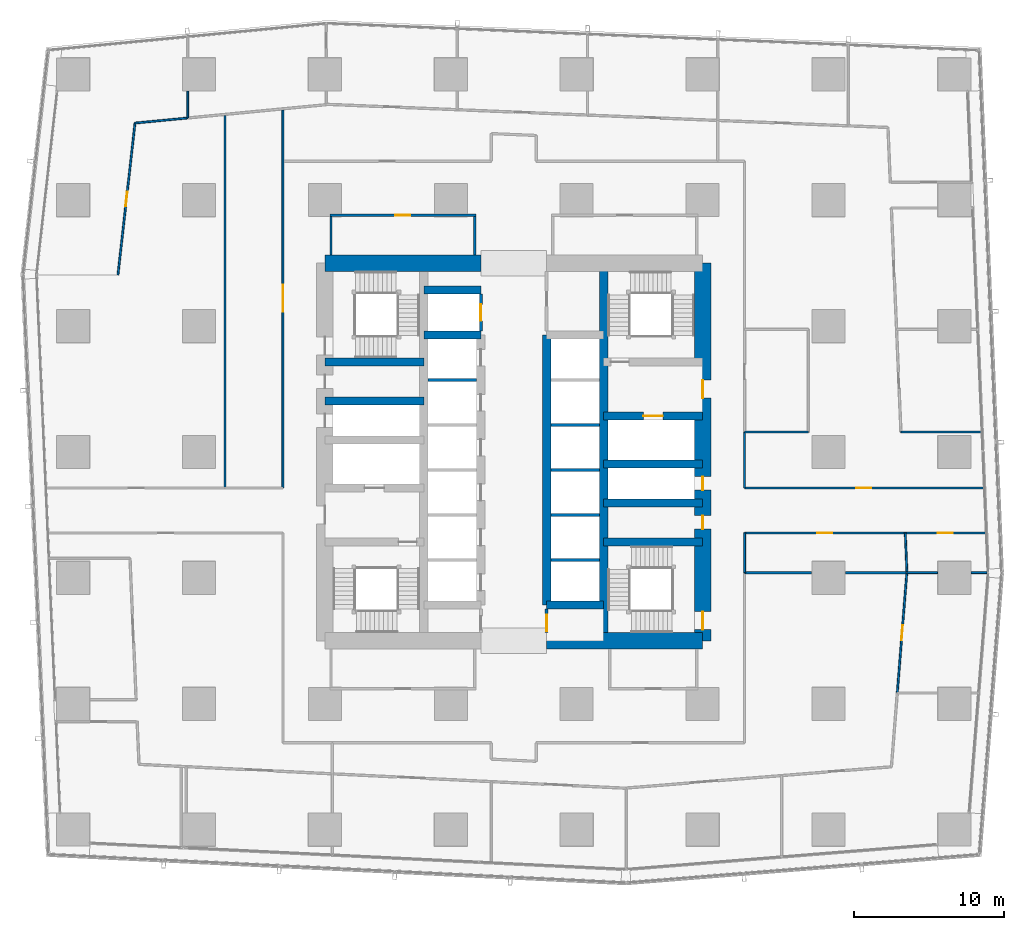
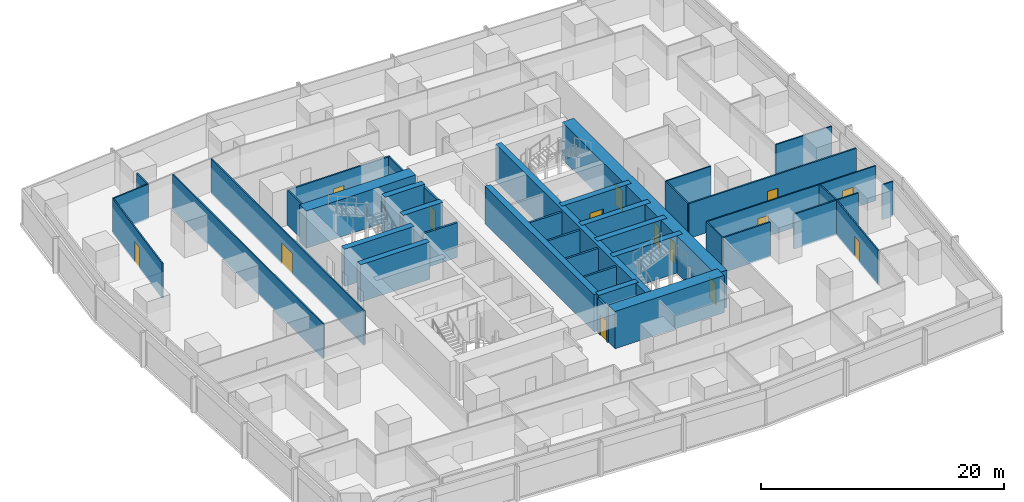
# One storey, part 33 of 44: 42 walls, 14 doors, 14 openings.
"""IFC4 building model written with IfcOpenShell, lengths in metres."""

from ifc_helpers import new_model, si_unit, direction, frame, frame_2d, origin, place, context, subcontext, project, spatial, rectangle, extrude, material, layer, layer_set, type_object, element, fill, save


model = new_model("IFC4")

# Units and contexts
model_context = context("Model", 3, precision=1e-05, world=origin(), true_north=direction((0.0, 1.0)))
body_context = subcontext(model_context, "Body", "Model", "MODEL_VIEW")
ifc_project = project(units=[si_unit("LENGTHUNIT", "METRE"), si_unit("AREAUNIT", "SQUARE_METRE"), si_unit("VOLUMEUNIT", "CUBIC_METRE"), si_unit("PLANEANGLEUNIT", "RADIAN"), si_unit("MASSUNIT", "GRAM", prefix="KILO")], contexts=[model_context])

# Site, building, storey
site_placement = place(None, origin())
site = spatial("IfcSite", under=ifc_project, at=site_placement, CompositionType="ELEMENT")
building_placement = place(site_placement, origin())
building = spatial("IfcBuilding", under=site, at=building_placement, Name="Rekha Terrace Tower", CompositionType="ELEMENT")
storey_placement = place(building_placement, frame((0.0, 0.0, 66.64990234375)))
storey = spatial("IfcBuildingStorey", under=building, at=storey_placement, Name="L16", CompositionType="ELEMENT", Elevation=66.64990234375)

# Walls
ifc_material_1 = material(Name="Concrete M70", Category="concrete")
ifc_layer_1 = layer(ifc_material_1, 0.550048828125)
ifc_layer_set_1 = layer_set([ifc_layer_1], Name="Concrete M70")
wall_type_1 = type_object("IfcWallType", Name="CI1 550 core internal shear wall", PredefinedType="SHEAR", material=ifc_layer_set_1)
wall_1_placement = place(storey_placement, frame((43.800048828125, 21.0, 0.0), z_axis=(0.0, 0.0, 1.0), x_axis=(0.0, 1.0, 0.0)))
element("IfcWall", 1, at=wall_1_placement, inside=storey, type_object=wall_type_1, Name="Core wall X438 L16", PredefinedType="SHEAR", context=body_context, shape_type="SweptSolid", body=[
    extrude(rectangle(XDim=25.199951171875, YDim=0.550048828125, at=frame_2d((12.60009765625, 0.0))), origin(), (0.0, 0.0, 1.0), 3.75),
])
wall_2_placement = place(storey_placement, frame((40.0, 23.39990234375, 0.0), z_axis=(0.0, 0.0, 1.0), x_axis=(0.0, 1.0, 0.0)))
element("IfcWall", 2, at=wall_2_placement, inside=storey, type_object=wall_type_1, Name="Core wall X400 L16", PredefinedType="SHEAR", context=body_context, shape_type="SweptSolid", body=[
    extrude(rectangle(XDim=18.0, YDim=0.550048828125, at=frame_2d((9.0, 0.0))), origin(), (0.0, 0.0, 1.0), 3.75),
])
for number, where, z_axis, x_axis, name in (
    (3, (31.800048828125, 41.39990234375, 0.0), (0.0, 0.0, 1.0), (1.0, 0.0, 0.0), "Core wall Y414W L16"),
    (4, (31.800048828125, 44.39990234375, 0.0), (0.0, 0.0, 1.0), (1.0, 0.0, 0.0), "Core wall Y444W L16"),
    (5, (40.0, 23.39990234375, 0.0), (0.0, 0.0, 1.0), (1.0, 0.0, 0.0), "Core wall Y234E L16"),
):
    element("IfcWall", number, at=place(storey_placement, frame(where, z_axis=z_axis, x_axis=x_axis)), inside=storey, type_object=wall_type_1, Name=name, PredefinedType="SHEAR", context=body_context, shape_type="SweptSolid", body=[
        extrude(rectangle(XDim=3.800048828125, YDim=0.550048828125, at=frame_2d((1.89990234375, 0.0))), origin(), (0.0, 0.0, 1.0), 3.75),
    ])
for number, where, z_axis, x_axis, name in (
    (6, (25.199951171875, 37.0, 0.0), (0.0, 0.0, 1.0), (1.0, 0.0, 0.0), "Core wall Y370W L16"),
    (7, (25.199951171875, 39.60009765625, 0.0), (0.0, 0.0, 1.0), (1.0, 0.0, 0.0), "Core wall Y396W L16"),
):
    element("IfcWall", number, at=place(storey_placement, frame(where, z_axis=z_axis, x_axis=x_axis)), inside=storey, type_object=wall_type_1, Name=name, PredefinedType="SHEAR", context=body_context, shape_type="SweptSolid", body=[
        extrude(rectangle(XDim=6.60009765625, YDim=0.550048828125, at=frame_2d((3.300048828125, 0.0))), origin(), (0.0, 0.0, 1.0), 3.75),
    ])
for number, where, z_axis, x_axis, name in (
    (8, (43.800048828125, 27.60009765625, 0.0), (0.0, 0.0, 1.0), (1.0, 0.0, 0.0), "Core wall Y276E L16"),
    (9, (43.800048828125, 30.199951171875, 0.0), (0.0, 0.0, 1.0), (1.0, 0.0, 0.0), "Core wall Y302E L16"),
    (10, (43.800048828125, 32.800048828125, 0.0), (0.0, 0.0, 1.0), (1.0, 0.0, 0.0), "Core wall Y328E L16"),
):
    element("IfcWall", number, at=place(storey_placement, frame(where, z_axis=z_axis, x_axis=x_axis)), inside=storey, type_object=wall_type_1, Name=name, PredefinedType="SHEAR", context=body_context, shape_type="SweptSolid", body=[
        extrude(rectangle(XDim=6.599853515625, YDim=0.550048828125, at=frame_2d((3.2998046875, 0.0))), origin(), (0.0, 0.0, 1.0), 3.75),
    ])

# Wall, opening, door
wall_3_placement = place(storey_placement, frame((43.800048828125, 36.0, 0.0), z_axis=(0.0, 0.0, 1.0), x_axis=(1.0, 0.0, 0.0)))
wall_3 = element("IfcWall", 11, at=wall_3_placement, inside=storey, type_object=wall_type_1, Name="Core wall Y360E L16", PredefinedType="SHEAR", context=body_context, shape_type="SweptSolid", body=[
    extrude(rectangle(XDim=6.599853515625, YDim=0.550048828125, at=frame_2d((3.2998046875, 0.0))), origin(), (0.0, 0.0, 1.0), 3.75),
])
opening_1_placement = place(wall_3_placement, frame((2.64990234375, 0.0, 0.0)))
opening_1 = element("IfcOpeningElement", 12, at=opening_1_placement, cuts=wall_3, Name="Opening LD2", PredefinedType="OPENING", context=body_context, shape_type="SweptSolid", body=[
    extrude(rectangle(XDim=1.300048828125, YDim=2.10009765625, at=frame_2d((0.64990234375, 1.050048828125))), frame((0.0, 0.284912109375, 0.0), z_axis=(0.0, -1.0, 0.0), x_axis=(1.0, 0.0, 0.0)), (0.0, 0.0, 1.0), 0.570068359375),
])
ifc_material_2 = material(Name="Stainless steel sliding landing door", Category="steel")
door_type_1 = type_object("IfcDoorType", Name="LD2 1300x2100 fire lift landing door", OperationType="SLIDING_TO_LEFT", PredefinedType="USERDEFINED", material=ifc_material_2)
door_1_placement = place(opening_1_placement, origin())
door_1 = element("IfcDoor", 13, at=door_1_placement, inside=storey, type_object=door_type_1, Name="Lift FL2 landing door L16", ObjectType="LIFT LANDING DOOR", OperationType="SLIDING_TO_LEFT", OverallHeight=2.10009765625, OverallWidth=1.300048828125, PredefinedType="USERDEFINED", context=body_context, shape_type="SweptSolid", body=[
    extrude(rectangle(XDim=1.300048828125, YDim=2.10009765625, at=frame_2d((0.64990234375, 1.050048828125))), frame((0.0, 0.02490234375, 0.0), z_axis=(0.0, -1.0, 0.0), x_axis=(1.0, 0.0, 0.0)), (0.0, 0.0, 1.0), 0.050048828125),
])
fill(opening_1, door_1)

# Walls
ifc_layer_2 = layer(ifc_material_1, 1.10009765625)
ifc_layer_set_2 = layer_set([ifc_layer_2], Name="Concrete M70")
wall_type_2 = type_object("IfcWallType", Name="SW1 1100 core outer shear wall", PredefinedType="SHEAR", material=ifc_layer_set_2)
wall_4_placement = place(storey_placement, frame((40.0, 21.0, 0.0), z_axis=(0.0, 0.0, 1.0), x_axis=(1.0, 0.0, 0.0)))
element("IfcWall", 14, at=wall_4_placement, inside=storey, type_object=wall_type_2, Name="Core wall S2 L16", PredefinedType="SHEAR", context=body_context, shape_type="SweptSolid", body=[
    extrude(rectangle(XDim=10.39990234375, YDim=1.10009765625, at=frame_2d((5.199951171875, 0.0))), origin(), (0.0, 0.0, 1.0), 3.75),
])
wall_5_placement = place(storey_placement, frame((25.199951171875, 46.199951171875, 0.0), z_axis=(0.0, 0.0, 1.0), x_axis=(1.0, 0.0, 0.0)))
element("IfcWall", 15, at=wall_5_placement, inside=storey, type_object=wall_type_2, Name="Core wall N1 L16", PredefinedType="SHEAR", context=body_context, shape_type="SweptSolid", body=[
    extrude(rectangle(XDim=10.400146484375, YDim=1.10009765625, at=frame_2d((5.2001953125, 0.0))), origin(), (0.0, 0.0, 1.0), 3.75),
])

# Wall, openings, doors
wall_6_placement = place(storey_placement, frame((50.39990234375, 21.0, 0.0), z_axis=(0.0, 0.0, 1.0), x_axis=(0.0, 1.0, 0.0)))
wall_6 = element("IfcWall", 16, at=wall_6_placement, inside=storey, type_object=wall_type_2, Name="Core wall E L16", PredefinedType="SHEAR", context=body_context, shape_type="SweptSolid", body=[
    extrude(rectangle(XDim=25.199951171875, YDim=1.10009765625, at=frame_2d((12.60009765625, 0.0))), origin(), (0.0, 0.0, 1.0), 3.75),
])
opening_2_placement = place(wall_6_placement, frame((16.199951171875, 0.0, 0.0)))
opening_2 = element("IfcOpeningElement", 17, at=opening_2_placement, cuts=wall_6, Name="Opening D2", PredefinedType="OPENING", context=body_context, shape_type="SweptSolid", body=[
    extrude(rectangle(XDim=1.199951171875, YDim=2.10009765625, at=frame_2d((0.60009765625, 1.050048828125))), frame((0.0, 0.56005859375, 0.0), z_axis=(0.0, -1.0, 0.0), x_axis=(1.0, 0.0, 0.0)), (0.0, 0.0, 1.0), 1.1201171875),
])
opening_3_placement = place(wall_6_placement, frame((10.050048828125, 0.0, 0.0)))
opening_3 = element("IfcOpeningElement", 18, at=opening_3_placement, cuts=wall_6, Name="Opening D5", PredefinedType="OPENING", context=body_context, shape_type="SweptSolid", body=[
    extrude(rectangle(XDim=0.89990234375, YDim=2.10009765625, at=frame_2d((0.449951171875, 1.050048828125))), frame((0.0, 0.56005859375, 0.0), z_axis=(0.0, -1.0, 0.0), x_axis=(1.0, 0.0, 0.0)), (0.0, 0.0, 1.0), 1.1201171875),
])
opening_4_placement = place(wall_6_placement, frame((7.449951171875, 0.0, 0.0)))
opening_4 = element("IfcOpeningElement", 19, at=opening_4_placement, cuts=wall_6, Name="Opening D5", PredefinedType="OPENING", context=body_context, shape_type="SweptSolid", body=[
    extrude(rectangle(XDim=0.89990234375, YDim=2.10009765625, at=frame_2d((0.449951171875, 1.050048828125))), frame((0.0, 0.56005859375, 0.0), z_axis=(0.0, -1.0, 0.0), x_axis=(1.0, 0.0, 0.0)), (0.0, 0.0, 1.0), 1.1201171875),
])
opening_5_placement = place(wall_6_placement, frame((0.75, 0.0, 0.0)))
opening_5 = element("IfcOpeningElement", 20, at=opening_5_placement, cuts=wall_6, Name="Opening D1", PredefinedType="OPENING", context=body_context, shape_type="SweptSolid", body=[
    extrude(rectangle(XDim=1.199951171875, YDim=2.10009765625, at=frame_2d((0.60009765625, 1.050048828125))), frame((0.0, 0.56005859375, 0.0), z_axis=(0.0, -1.0, 0.0), x_axis=(1.0, 0.0, 0.0)), (0.0, 0.0, 1.0), 1.1201171875),
])
ifc_material_3 = material(Name="Steel fire door", Category="steel")
door_type_2 = type_object("IfcDoorType", Name="D1 1200x2100 stair fire door", OperationType="SINGLE_SWING_RIGHT", PredefinedType="DOOR", material=ifc_material_3)
door_2_placement = place(opening_5_placement, origin())
door_2 = element("IfcDoor", 21, at=door_2_placement, inside=storey, type_object=door_type_2, Name="Stair ST3 door L16", OperationType="SINGLE_SWING_RIGHT", OverallHeight=2.10009765625, OverallWidth=1.199951171875, PredefinedType="DOOR", context=body_context, shape_type="SweptSolid", body=[
    extrude(rectangle(XDim=1.199951171875, YDim=2.10009765625, at=frame_2d((0.60009765625, 1.050048828125))), frame((0.0, 0.02490234375, 0.0), z_axis=(0.0, -1.0, 0.0), x_axis=(1.0, 0.0, 0.0)), (0.0, 0.0, 1.0), 0.050048828125),
])
fill(opening_5, door_2)
door_type_3 = type_object("IfcDoorType", Name="D2 1200x2100 firefighting lobby door", OperationType="SINGLE_SWING_LEFT", PredefinedType="DOOR", material=ifc_material_3)
door_3_placement = place(opening_2_placement, origin())
door_3 = element("IfcDoor", 22, at=door_3_placement, inside=storey, type_object=door_type_3, Name="Door flb2 L16", OperationType="SINGLE_SWING_LEFT", OverallHeight=2.10009765625, OverallWidth=1.199951171875, PredefinedType="DOOR", context=body_context, shape_type="SweptSolid", body=[
    extrude(rectangle(XDim=1.199951171875, YDim=2.10009765625, at=frame_2d((0.60009765625, 1.050048828125))), frame((0.0, 0.02490234375, 0.0), z_axis=(0.0, -1.0, 0.0), x_axis=(1.0, 0.0, 0.0)), (0.0, 0.0, 1.0), 0.050048828125),
])
fill(opening_2, door_3)
door_type_4 = type_object("IfcDoorType", Name="D5 900x2100 riser access door", OperationType="SINGLE_SWING_LEFT", PredefinedType="DOOR", material=ifc_material_3)
door_4_placement = place(opening_3_placement, origin())
door_4 = element("IfcDoor", 23, at=door_4_placement, inside=storey, type_object=door_type_4, Name="Door rs2 L16", OperationType="SINGLE_SWING_LEFT", OverallHeight=2.10009765625, OverallWidth=0.89990234375, PredefinedType="DOOR", context=body_context, shape_type="SweptSolid", body=[
    extrude(rectangle(XDim=0.89990234375, YDim=2.10009765625, at=frame_2d((0.449951171875, 1.050048828125))), frame((0.0, 0.02490234375, 0.0), z_axis=(0.0, -1.0, 0.0), x_axis=(1.0, 0.0, 0.0)), (0.0, 0.0, 1.0), 0.050048828125),
])
fill(opening_3, door_4)
door_5_placement = place(opening_4_placement, origin())
door_5 = element("IfcDoor", 24, at=door_5_placement, inside=storey, type_object=door_type_4, Name="Door ele L16", OperationType="SINGLE_SWING_LEFT", OverallHeight=2.10009765625, OverallWidth=0.89990234375, PredefinedType="DOOR", context=body_context, shape_type="SweptSolid", body=[
    extrude(rectangle(XDim=0.89990234375, YDim=2.10009765625, at=frame_2d((0.449951171875, 1.050048828125))), frame((0.0, 0.02490234375, 0.0), z_axis=(0.0, -1.0, 0.0), x_axis=(1.0, 0.0, 0.0)), (0.0, 0.0, 1.0), 0.050048828125),
])
fill(opening_4, door_5)

# Wall, opening, door
ifc_material_4 = material(Name="Concrete block masonry, 1 hour", Category="masonry")
ifc_layer_3 = layer(ifc_material_4, 0.14990234375)
ifc_layer_set_3 = layer_set([ifc_layer_3], Name="Concrete block masonry, 1 hour")
wall_type_3 = type_object("IfcWallType", Name="WP2 150 tenancy partition", PredefinedType="PARTITIONING", material=ifc_layer_set_3)
wall_7_placement = place(storey_placement, frame((25.52490234375, 49.39990234375, 0.0), z_axis=(0.0, 0.0, 1.0), x_axis=(1.0, 0.0, 0.0)))
wall_7 = element("IfcWall", 25, at=wall_7_placement, inside=storey, type_object=wall_type_3, Name="Women's WC wall L16", PredefinedType="PARTITIONING", context=body_context, shape_type="SweptSolid", body=[
    extrude(rectangle(XDim=9.75, YDim=0.14990234375, at=frame_2d((4.875, 0.0))), origin(), (0.0, 0.0, 1.0), 3.5),
])
opening_6_placement = place(wall_7_placement, frame((4.375, 0.0, 0.0)))
opening_6 = element("IfcOpeningElement", 26, at=opening_6_placement, cuts=wall_7, Name="Opening D3", PredefinedType="OPENING", context=body_context, shape_type="SweptSolid", body=[
    extrude(rectangle(XDim=1.0, YDim=2.10009765625, at=frame_2d((0.5, 1.050048828125))), frame((0.0, 0.0849609375, 0.0), z_axis=(0.0, -1.0, 0.0), x_axis=(1.0, 0.0, 0.0)), (0.0, 0.0, 1.0), 0.169921875),
])
ifc_material_5 = material(Name="Laminated timber fire door", Category="wood")
door_type_5 = type_object("IfcDoorType", Name="D3 1000x2100 WC door", OperationType="SINGLE_SWING_LEFT", PredefinedType="DOOR", material=ifc_material_5)
door_6_placement = place(opening_6_placement, origin())
door_6 = element("IfcDoor", 27, at=door_6_placement, inside=storey, type_object=door_type_5, Name="Door women's wc L16", OperationType="SINGLE_SWING_LEFT", OverallHeight=2.10009765625, OverallWidth=1.0, PredefinedType="DOOR", context=body_context, shape_type="SweptSolid", body=[
    extrude(rectangle(XDim=1.0, YDim=2.10009765625, at=frame_2d((0.5, 1.050048828125))), frame((0.0, 0.02490234375, 0.0), z_axis=(0.0, -1.0, 0.0), x_axis=(1.0, 0.0, 0.0)), (0.0, 0.0, 1.0), 0.050048828125),
])
fill(opening_6, door_6)

# Walls
for number, where, z_axis, x_axis, name in (
    (28, (25.60009765625, 46.75, 0.0), (0.0, 0.0, 1.0), (0.0, 1.0, 0.0), "Women's WC wall L16"),
    (29, (35.199951171875, 46.75, 0.0), (0.0, 0.0, 1.0), (0.0, 1.0, 0.0), "Women's WC wall L16"),
):
    element("IfcWall", number, at=place(storey_placement, frame(where, z_axis=z_axis, x_axis=x_axis)), inside=storey, type_object=wall_type_3, Name=name, PredefinedType="PARTITIONING", context=body_context, shape_type="SweptSolid", body=[
        extrude(rectangle(XDim=2.574951171875, YDim=0.14990234375, at=frame_2d((1.28759765625, 0.0))), origin(), (0.0, 0.0, 1.0), 3.5),
    ])
wall_8_placement = place(storey_placement, frame((53.199951171875, 25.552001953125, 0.0), z_axis=(0.0, 0.0, 1.0), x_axis=(1.0, 0.0, 0.0)))
element("IfcWall", 30, at=wall_8_placement, inside=storey, type_object=wall_type_3, Name="Partition L16-O1", PredefinedType="PARTITIONING", context=body_context, shape_type="SweptSolid", body=[
    extrude(rectangle(XDim=4.47998046875, YDim=0.14990234375, at=frame_2d((2.239990234375, 0.0))), origin(), (0.0, 0.0, 1.0), 3.5),
])
wall_9_placement = place(storey_placement, frame((59.919921875, 25.552001953125, 0.0), z_axis=(0.0, 0.0, 1.0), x_axis=(1.0, 0.0, 0.0)))
element("IfcWall", 31, at=wall_9_placement, inside=storey, type_object=wall_type_3, Name="Partition L16-O1", PredefinedType="PARTITIONING", context=body_context, shape_type="SweptSolid", body=[
    extrude(rectangle(XDim=4.041015625, YDim=0.14990234375, at=frame_2d((2.0205078125, 0.0))), origin(), (0.0, 0.0, 1.0), 3.5),
])

# Wall, opening, door
wall_10_placement = place(storey_placement, frame((69.14501953125, 31.199951171875, 0.0), z_axis=(0.0, 0.0, 1.0), x_axis=(-1.0, 0.0, 0.0)))
wall_10 = element("IfcWall", 32, at=wall_10_placement, inside=storey, type_object=wall_type_3, Name="Partition L16-O2", PredefinedType="PARTITIONING", context=body_context, shape_type="SweptSolid", body=[
    extrude(rectangle(XDim=15.945068359375, YDim=0.14990234375, at=frame_2d((7.97265625, 0.0))), origin(), (0.0, 0.0, 1.0), 3.5),
])
opening_7_placement = place(wall_10_placement, frame((7.487060546875, 0.0, 0.0)))
opening_7 = element("IfcOpeningElement", 33, at=opening_7_placement, cuts=wall_10, Name="Opening D9", PredefinedType="OPENING", context=body_context, shape_type="SweptSolid", body=[
    extrude(rectangle(XDim=1.0, YDim=2.10009765625, at=frame_2d((0.5, 1.050048828125))), frame((0.0, 0.0849609375, 0.0), z_axis=(0.0, -1.0, 0.0), x_axis=(1.0, 0.0, 0.0)), (0.0, 0.0, 1.0), 0.169921875),
])
ifc_material_6 = material(Name="Timber fire door", Category="wood")
door_type_6 = type_object("IfcDoorType", Name="D9 1000x2100 office door", OperationType="SINGLE_SWING_LEFT", PredefinedType="DOOR", material=ifc_material_6)
door_7_placement = place(opening_7_placement, origin())
door_7 = element("IfcDoor", 34, at=door_7_placement, inside=storey, type_object=door_type_6, Name="Door open-plan office L16", OperationType="SINGLE_SWING_LEFT", OverallHeight=2.10009765625, OverallWidth=1.0, PredefinedType="DOOR", context=body_context, shape_type="SweptSolid", body=[
    extrude(rectangle(XDim=1.0, YDim=2.10009765625, at=frame_2d((0.5, 1.050048828125))), frame((0.0, 0.02490234375, 0.0), z_axis=(0.0, -1.0, 0.0), x_axis=(1.0, 0.0, 0.0)), (0.0, 0.0, 1.0), 0.050048828125),
])
fill(opening_7, door_7)

# Wall
wall_11_placement = place(storey_placement, frame((53.199951171875, 31.199951171875, 0.0), z_axis=(0.0, 0.0, 1.0), x_axis=(0.0, 1.0, 0.0)))
element("IfcWall", 35, at=wall_11_placement, inside=storey, type_object=wall_type_3, Name="Partition L16-O2", PredefinedType="PARTITIONING", context=body_context, shape_type="SweptSolid", body=[
    extrude(rectangle(XDim=3.73193359375, YDim=0.14990234375, at=frame_2d((1.865966796875, 0.0))), origin(), (0.0, 0.0, 1.0), 3.5),
])

# Wall, opening, door
ifc_material_7 = material(Name="Two layers of fire-rated gypsum board each side on steel studs, acoustic quilt, 1 hour", Category="steel")
ifc_layer_4 = layer(ifc_material_7, 0.125)
ifc_layer_set_4 = layer_set([ifc_layer_4], Name="Two layers of fire-rated gypsum board each side on steel studs, acoustic quilt, 1 hour")
wall_type_4 = type_object("IfcWallType", Name="WP3 125 office partition", PredefinedType="PARTITIONING", material=ifc_layer_set_4)
wall_12_placement = place(storey_placement, frame((63.386962890625, 17.52392578125, 0.0), z_axis=(0.0, 0.0, 1.0), x_axis=(0.079102910118, 0.996866455254, 0.0)))
wall_12 = element("IfcWall", 36, at=wall_12_placement, inside=storey, type_object=wall_type_4, Name="Partition L16-05", PredefinedType="PARTITIONING", context=body_context, shape_type="SweptSolid", body=[
    extrude(rectangle(XDim=8.05224609375, YDim=0.125, at=frame_2d((4.026123046875, 0.0))), origin(), (0.0, 0.0, 1.0), 3.5),
])
opening_8_placement = place(wall_12_placement, frame((3.52587890625, 0.0, 0.0)))
opening_8 = element("IfcOpeningElement", 37, at=opening_8_placement, cuts=wall_12, Name="Opening D9", PredefinedType="OPENING", context=body_context, shape_type="SweptSolid", body=[
    extrude(rectangle(XDim=1.0, YDim=2.10009765625, at=frame_2d((0.5, 1.050048828125))), frame((0.0, 0.072509765625, 0.0), z_axis=(0.0, -1.0, 0.0), x_axis=(1.0, 0.0, 0.0)), (0.0, 0.0, 1.0), 0.14501953125),
])
door_8_placement = place(opening_8_placement, origin())
door_8 = element("IfcDoor", 38, at=door_8_placement, inside=storey, type_object=door_type_6, Name="Door office L16", OperationType="SINGLE_SWING_LEFT", OverallHeight=2.10009765625, OverallWidth=1.0, PredefinedType="DOOR", context=body_context, shape_type="SweptSolid", body=[
    extrude(rectangle(XDim=1.0, YDim=2.10009765625, at=frame_2d((0.5, 1.050048828125))), frame((0.0, 0.02490234375, 0.0), z_axis=(0.0, -1.0, 0.0), x_axis=(1.0, 0.0, 0.0)), (0.0, 0.0, 1.0), 0.050048828125),
])
fill(opening_8, door_8)

# Walls
wall_13_placement = place(storey_placement, frame((64.02392578125, 25.551025390625, 0.0), z_axis=(0.0, 0.0, 1.0), x_axis=(1.0, 0.0, 0.0)))
element("IfcWall", 39, at=wall_13_placement, inside=storey, type_object=wall_type_4, Name="Partition L16-05", PredefinedType="PARTITIONING", context=body_context, shape_type="SweptSolid", body=[
    extrude(rectangle(XDim=2.05615234375, YDim=0.125, at=frame_2d((1.028076171875, 0.0))), origin(), (0.0, 0.0, 1.0), 3.5),
])
wall_14_placement = place(storey_placement, frame((68.320068359375, 25.551025390625, 0.0), z_axis=(0.0, 0.0, 1.0), x_axis=(1.0, 0.0, 0.0)))
element("IfcWall", 40, at=wall_14_placement, inside=storey, type_object=wall_type_4, Name="Partition L16-05", PredefinedType="PARTITIONING", context=body_context, shape_type="SweptSolid", body=[
    extrude(rectangle(XDim=1.036865234375, YDim=0.125, at=frame_2d((0.5185546875, 0.0))), origin(), (0.0, 0.0, 1.0), 3.5),
])
wall_15_placement = place(storey_placement, frame((68.9560546875, 34.931884765625, 0.0), z_axis=(0.0, 0.0, 1.0), x_axis=(-1.0, 0.0, 0.0)))
element("IfcWall", 41, at=wall_15_placement, inside=storey, type_object=wall_type_4, Name="Partition L16-07", PredefinedType="PARTITIONING", context=body_context, shape_type="SweptSolid", body=[
    extrude(rectangle(XDim=5.324951171875, YDim=0.125, at=frame_2d((2.66259765625, 0.0))), origin(), (0.0, 0.0, 1.0), 3.5),
])
wall_16_placement = place(storey_placement, frame((57.449951171875, 34.931884765625, 0.0), z_axis=(0.0, 0.0, 1.0), x_axis=(-1.0, 0.0, 0.0)))
element("IfcWall", 42, at=wall_16_placement, inside=storey, type_object=wall_type_4, Name="Partition L16-11", PredefinedType="PARTITIONING", context=body_context, shape_type="SweptSolid", body=[
    extrude(rectangle(XDim=4.25, YDim=0.125, at=frame_2d((2.125, 0.0))), origin(), (0.0, 0.0, 1.0), 3.5),
])
wall_17_placement = place(storey_placement, frame((16.053955078125, 55.884033203125, 0.0), z_axis=(0.0, 0.0, 1.0), x_axis=(0.0, 1.0, 0.0)))
element("IfcWall", 43, at=wall_17_placement, inside=storey, type_object=wall_type_4, Name="Partition L16-15", PredefinedType="PARTITIONING", context=body_context, shape_type="SweptSolid", body=[
    extrude(rectangle(XDim=1.7958984375, YDim=0.125, at=frame_2d((0.89794921875, 0.0))), origin(), (0.0, 0.0, 1.0), 3.5),
])
wall_18_placement = place(storey_placement, frame((16.052978515625, 55.883056640625, 0.0), z_axis=(0.0, 0.0, 1.0), x_axis=(-0.995420403314, -0.095594040951, 0.0)))
element("IfcWall", 44, at=wall_18_placement, inside=storey, type_object=wall_type_4, Name="Partition L16-16", PredefinedType="PARTITIONING", context=body_context, shape_type="SweptSolid", body=[
    extrude(rectangle(XDim=3.537109375, YDim=0.125, at=frame_2d((1.7685546875, 0.0))), origin(), (0.0, 0.0, 1.0), 3.5),
])

# Wall, opening, door
wall_19_placement = place(storey_placement, frame((12.531982421875, 55.544921875, 0.0), z_axis=(0.0, 0.0, 1.0), x_axis=(-0.111695467503, -0.99374248301, 0.0)))
wall_19 = element("IfcWall", 45, at=wall_19_placement, inside=storey, type_object=wall_type_4, Name="Partition L16-16", PredefinedType="PARTITIONING", context=body_context, shape_type="SweptSolid", body=[
    extrude(rectangle(XDim=10.196533203125, YDim=0.125, at=frame_2d((5.09814453125, 0.0))), origin(), (0.0, 0.0, 1.0), 3.5),
])
opening_9_placement = place(wall_19_placement, frame((4.597900390625, 0.0, 0.0)))
opening_9 = element("IfcOpeningElement", 46, at=opening_9_placement, cuts=wall_19, Name="Opening D9", PredefinedType="OPENING", context=body_context, shape_type="SweptSolid", body=[
    extrude(rectangle(XDim=1.0, YDim=2.10009765625, at=frame_2d((0.5, 1.050048828125))), frame((0.0, 0.072509765625, 0.0), z_axis=(0.0, -1.0, 0.0), x_axis=(1.0, 0.0, 0.0)), (0.0, 0.0, 1.0), 0.14501953125),
])
door_9_placement = place(opening_9_placement, origin())
door_9 = element("IfcDoor", 47, at=door_9_placement, inside=storey, type_object=door_type_6, Name="Door director's office L16", OperationType="SINGLE_SWING_LEFT", OverallHeight=2.10009765625, OverallWidth=1.0, PredefinedType="DOOR", context=body_context, shape_type="SweptSolid", body=[
    extrude(rectangle(XDim=1.0, YDim=2.10009765625, at=frame_2d((0.5, 1.050048828125))), frame((0.0, 0.02490234375, 0.0), z_axis=(0.0, -1.0, 0.0), x_axis=(1.0, 0.0, 0.0)), (0.0, 0.0, 1.0), 0.050048828125),
])
fill(opening_9, door_9)

# Wall
wall_20_placement = place(storey_placement, frame((18.531982421875, 56.05908203125, 0.0), z_axis=(0.0, 0.0, 1.0), x_axis=(0.0, -1.0, 0.0)))
element("IfcWall", 48, at=wall_20_placement, inside=storey, type_object=wall_type_4, Name="Partition L16-18", PredefinedType="PARTITIONING", context=body_context, shape_type="SweptSolid", body=[
    extrude(rectangle(XDim=24.859130859375, YDim=0.125, at=frame_2d((12.4296875, 0.0))), origin(), (0.0, 0.0, 1.0), 3.5),
])

# Wall, opening, door
wall_21_placement = place(storey_placement, frame((22.39990234375, 56.430908203125, 0.0), z_axis=(0.0, 0.0, 1.0), x_axis=(0.0, -1.0, 0.0)))
wall_21 = element("IfcWall", 49, at=wall_21_placement, inside=storey, type_object=wall_type_4, Name="Partition L16-19", PredefinedType="PARTITIONING", context=body_context, shape_type="SweptSolid", body=[
    extrude(rectangle(XDim=25.23095703125, YDim=0.125, at=frame_2d((12.615478515625, 0.0))), origin(), (0.0, 0.0, 1.0), 3.5),
])
opening_10_placement = place(wall_21_placement, frame((11.68408203125, 0.0, 0.0)))
opening_10 = element("IfcOpeningElement", 50, at=opening_10_placement, cuts=wall_21, Name="Opening D8", PredefinedType="OPENING", context=body_context, shape_type="SweptSolid", body=[
    extrude(rectangle(XDim=1.800048828125, YDim=2.10009765625, at=frame_2d((0.89990234375, 1.050048828125))), frame((0.0, 0.072509765625, 0.0), z_axis=(0.0, -1.0, 0.0), x_axis=(1.0, 0.0, 0.0)), (0.0, 0.0, 1.0), 0.14501953125),
])
door_type_7 = type_object("IfcDoorType", Name="D8 1800x2100 double leaf door", OperationType="DOUBLE_DOOR_SINGLE_SWING", PredefinedType="DOOR", material=ifc_material_6)
door_10_placement = place(opening_10_placement, origin())
door_10 = element("IfcDoor", 51, at=door_10_placement, inside=storey, type_object=door_type_7, Name="Door breakout lounge L16", OperationType="DOUBLE_DOOR_SINGLE_SWING", OverallHeight=2.10009765625, OverallWidth=1.800048828125, PredefinedType="DOOR", context=body_context, shape_type="SweptSolid", body=[
    extrude(rectangle(XDim=1.800048828125, YDim=2.10009765625, at=frame_2d((0.89990234375, 1.050048828125))), frame((0.0, 0.02490234375, 0.0), z_axis=(0.0, -1.0, 0.0), x_axis=(1.0, 0.0, 0.0)), (0.0, 0.0, 1.0), 0.050048828125),
])
fill(opening_10, door_10)

wall_22_placement = place(storey_placement, frame((63.9189453125, 28.199951171875, 0.0), z_axis=(0.0, 0.0, 1.0), x_axis=(1.0, 0.0, 0.0)))
wall_22 = element("IfcWall", 52, at=wall_22_placement, inside=storey, type_object=wall_type_4, Name="Partition L16-23", PredefinedType="PARTITIONING", context=body_context, shape_type="SweptSolid", body=[
    extrude(rectangle(XDim=5.35498046875, YDim=0.125, at=frame_2d((2.677490234375, 0.0))), origin(), (0.0, 0.0, 1.0), 3.5),
])
opening_11_placement = place(wall_22_placement, frame((2.162109375, 0.0, 0.0)))
opening_11 = element("IfcOpeningElement", 53, at=opening_11_placement, cuts=wall_22, Name="Opening D9", PredefinedType="OPENING", context=body_context, shape_type="SweptSolid", body=[
    extrude(rectangle(XDim=1.0, YDim=2.10009765625, at=frame_2d((0.5, 1.050048828125))), frame((0.0, 0.072509765625, 0.0), z_axis=(0.0, -1.0, 0.0), x_axis=(1.0, 0.0, 0.0)), (0.0, 0.0, 1.0), 0.14501953125),
])
door_11_placement = place(opening_11_placement, origin())
door_11 = element("IfcDoor", 54, at=door_11_placement, inside=storey, type_object=door_type_6, Name="Door meeting room L16", OperationType="SINGLE_SWING_LEFT", OverallHeight=2.10009765625, OverallWidth=1.0, PredefinedType="DOOR", context=body_context, shape_type="SweptSolid", body=[
    extrude(rectangle(XDim=1.0, YDim=2.10009765625, at=frame_2d((0.5, 1.050048828125))), frame((0.0, 0.02490234375, 0.0), z_axis=(0.0, -1.0, 0.0), x_axis=(1.0, 0.0, 0.0)), (0.0, 0.0, 1.0), 0.050048828125),
])
fill(opening_11, door_11)

# Walls
wall_23_placement = place(storey_placement, frame((64.029052734375, 25.613037109375, 0.0), z_axis=(0.0, 0.0, 1.0), x_axis=(-0.042524729329, 0.99909541456, 0.0)))
element("IfcWall", 55, at=wall_23_placement, inside=storey, type_object=wall_type_4, Name="Partition L16-23", PredefinedType="PARTITIONING", context=body_context, shape_type="SweptSolid", body=[
    extrude(rectangle(XDim=2.58935546875, YDim=0.125, at=frame_2d((1.294677734375, 0.0))), origin(), (0.0, 0.0, 1.0), 3.5),
])
wall_24_placement = place(storey_placement, frame((53.199951171875, 25.552001953125, 0.0), z_axis=(0.0, 0.0, 1.0), x_axis=(0.0, 1.0, 0.0)))
element("IfcWall", 56, at=wall_24_placement, inside=storey, type_object=wall_type_4, Name="Partition L16-24", PredefinedType="PARTITIONING", context=body_context, shape_type="SweptSolid", body=[
    extrude(rectangle(XDim=2.64794921875, YDim=0.125, at=frame_2d((1.323974609375, 0.0))), origin(), (0.0, 0.0, 1.0), 3.5),
])

# Wall, opening, door
wall_25_placement = place(storey_placement, frame((53.199951171875, 28.199951171875, 0.0), z_axis=(0.0, 0.0, 1.0), x_axis=(1.0, 0.0, 0.0)))
wall_25 = element("IfcWall", 57, at=wall_25_placement, inside=storey, type_object=wall_type_4, Name="Partition L16-24", PredefinedType="PARTITIONING", context=body_context, shape_type="SweptSolid", body=[
    extrude(rectangle(XDim=10.718994140625, YDim=0.125, at=frame_2d((5.359375, 0.0))), origin(), (0.0, 0.0, 1.0), 3.5),
])
opening_12_placement = place(wall_25_placement, frame((4.85888671875, 0.0, 0.0)))
opening_12 = element("IfcOpeningElement", 58, at=opening_12_placement, cuts=wall_25, Name="Opening D9", PredefinedType="OPENING", context=body_context, shape_type="SweptSolid", body=[
    extrude(rectangle(XDim=1.0, YDim=2.10009765625, at=frame_2d((0.5, 1.050048828125))), frame((0.0, 0.072509765625, 0.0), z_axis=(0.0, -1.0, 0.0), x_axis=(1.0, 0.0, 0.0)), (0.0, 0.0, 1.0), 0.14501953125),
])
door_12_placement = place(opening_12_placement, origin())
door_12 = element("IfcDoor", 59, at=door_12_placement, inside=storey, type_object=door_type_6, Name="Door pantry L16", OperationType="SINGLE_SWING_LEFT", OverallHeight=2.10009765625, OverallWidth=1.0, PredefinedType="DOOR", context=body_context, shape_type="SweptSolid", body=[
    extrude(rectangle(XDim=1.0, YDim=2.10009765625, at=frame_2d((0.5, 1.050048828125))), frame((0.0, 0.02490234375, 0.0), z_axis=(0.0, -1.0, 0.0), x_axis=(1.0, 0.0, 0.0)), (0.0, 0.0, 1.0), 0.050048828125),
])
fill(opening_12, door_12)

# Walls
ifc_material_8 = material(Name="Solid concrete block masonry, 2 hour", Category="masonry")
ifc_layer_5 = layer(ifc_material_8, 0.199951171875)
ifc_layer_set_5 = layer_set([ifc_layer_5], Name="Solid concrete block masonry, 2 hour")
wall_type_5 = type_object("IfcWallType", Name="WS1 200 stair and shaft enclosure", PredefinedType="PARTITIONING", material=ifc_layer_set_5)
for number, where, z_axis, x_axis, name in (
    (60, (32.074951171875, 38.39990234375, 0.0), (0.0, 0.0, 1.0), (1.0, 0.0, 0.0), "Lift shaft divider L16"),
    (61, (40.27490234375, 26.39990234375, 0.0), (0.0, 0.0, 1.0), (1.0, 0.0, 0.0), "Lift shaft divider L16"),
    (62, (40.27490234375, 29.39990234375, 0.0), (0.0, 0.0, 1.0), (1.0, 0.0, 0.0), "Lift shaft divider L16"),
    (63, (40.27490234375, 32.39990234375, 0.0), (0.0, 0.0, 1.0), (1.0, 0.0, 0.0), "Lift shaft divider L16"),
    (64, (40.27490234375, 35.39990234375, 0.0), (0.0, 0.0, 1.0), (1.0, 0.0, 0.0), "Lift shaft divider L16"),
):
    element("IfcWall", number, at=place(storey_placement, frame(where, z_axis=z_axis, x_axis=x_axis)), inside=storey, type_object=wall_type_5, Name=name, PredefinedType="PARTITIONING", context=body_context, shape_type="SweptSolid", body=[
        extrude(rectangle(XDim=3.25, YDim=0.199951171875, at=frame_2d((1.625, 0.0))), origin(), (0.0, 0.0, 1.0), 3.5),
    ])

# Wall, opening, door
wall_26_placement = place(storey_placement, frame((40.0, 21.550048828125, 0.0), z_axis=(0.0, 0.0, 1.0), x_axis=(0.0, 1.0, 0.0)))
wall_26 = element("IfcWall", 65, at=wall_26_placement, inside=storey, type_object=wall_type_5, Name="Core partition wca L16", PredefinedType="PARTITIONING", context=body_context, shape_type="SweptSolid", body=[
    extrude(rectangle(XDim=1.574951171875, YDim=0.199951171875, at=frame_2d((0.78759765625, 0.0))), origin(), (0.0, 0.0, 1.0), 3.5),
])
opening_13_placement = place(wall_26_placement, frame((0.10009765625, 0.0, 0.0)))
opening_13 = element("IfcOpeningElement", 66, at=opening_13_placement, cuts=wall_26, Name="Opening D4", PredefinedType="OPENING", context=body_context, shape_type="SweptSolid", body=[
    extrude(rectangle(XDim=1.10009765625, YDim=2.10009765625, at=frame_2d((0.550048828125, 1.050048828125))), frame((0.0, 0.10986328125, 0.0), z_axis=(0.0, -1.0, 0.0), x_axis=(1.0, 0.0, 0.0)), (0.0, 0.0, 1.0), 0.219970703125),
])
door_type_8 = type_object("IfcDoorType", Name="D4 1100x2100 accessible WC door", OperationType="SLIDING_TO_LEFT", PredefinedType="DOOR", material=ifc_material_5)
door_13_placement = place(opening_13_placement, origin())
door_13 = element("IfcDoor", 67, at=door_13_placement, inside=storey, type_object=door_type_8, Name="Door wca L16", OperationType="SLIDING_TO_LEFT", OverallHeight=2.10009765625, OverallWidth=1.10009765625, PredefinedType="DOOR", context=body_context, shape_type="SweptSolid", body=[
    extrude(rectangle(XDim=1.10009765625, YDim=2.10009765625, at=frame_2d((0.550048828125, 1.050048828125))), frame((0.0, 0.02490234375, 0.0), z_axis=(0.0, -1.0, 0.0), x_axis=(1.0, 0.0, 0.0)), (0.0, 0.0, 1.0), 0.050048828125),
])
fill(opening_13, door_13)

wall_27_placement = place(storey_placement, frame((35.60009765625, 41.675048828125, 0.0), z_axis=(0.0, 0.0, 1.0), x_axis=(0.0, 1.0, 0.0)))
wall_27 = element("IfcWall", 68, at=wall_27_placement, inside=storey, type_object=wall_type_5, Name="Core partition jansv L16", PredefinedType="PARTITIONING", context=body_context, shape_type="SweptSolid", body=[
    extrude(rectangle(XDim=2.449951171875, YDim=0.199951171875, at=frame_2d((1.22509765625, 0.0))), origin(), (0.0, 0.0, 1.0), 3.5),
])
opening_14_placement = place(wall_27_placement, frame((0.675048828125, 0.0, 0.0)))
opening_14 = element("IfcOpeningElement", 69, at=opening_14_placement, cuts=wall_27, Name="Opening LD1", PredefinedType="OPENING", context=body_context, shape_type="SweptSolid", body=[
    extrude(rectangle(XDim=1.10009765625, YDim=2.10009765625, at=frame_2d((0.550048828125, 1.050048828125))), frame((0.0, 0.10986328125, 0.0), z_axis=(0.0, -1.0, 0.0), x_axis=(1.0, 0.0, 0.0)), (0.0, 0.0, 1.0), 0.219970703125),
])
door_type_9 = type_object("IfcDoorType", Name="LD1 1100x2100 lift landing door", OperationType="SLIDING_TO_LEFT", PredefinedType="USERDEFINED", material=ifc_material_2)
door_14_placement = place(opening_14_placement, origin())
door_14 = element("IfcDoor", 70, at=door_14_placement, inside=storey, type_object=door_type_9, Name="Lift SV1 landing door L16", ObjectType="LIFT LANDING DOOR", OperationType="SLIDING_TO_LEFT", OverallHeight=2.10009765625, OverallWidth=1.10009765625, PredefinedType="USERDEFINED", context=body_context, shape_type="SweptSolid", body=[
    extrude(rectangle(XDim=1.10009765625, YDim=2.10009765625, at=frame_2d((0.550048828125, 1.050048828125))), frame((0.0, 0.02490234375, 0.0), z_axis=(0.0, -1.0, 0.0), x_axis=(1.0, 0.0, 0.0)), (0.0, 0.0, 1.0), 0.050048828125),
])
fill(opening_14, door_14)

save(model, "model.ifc")
